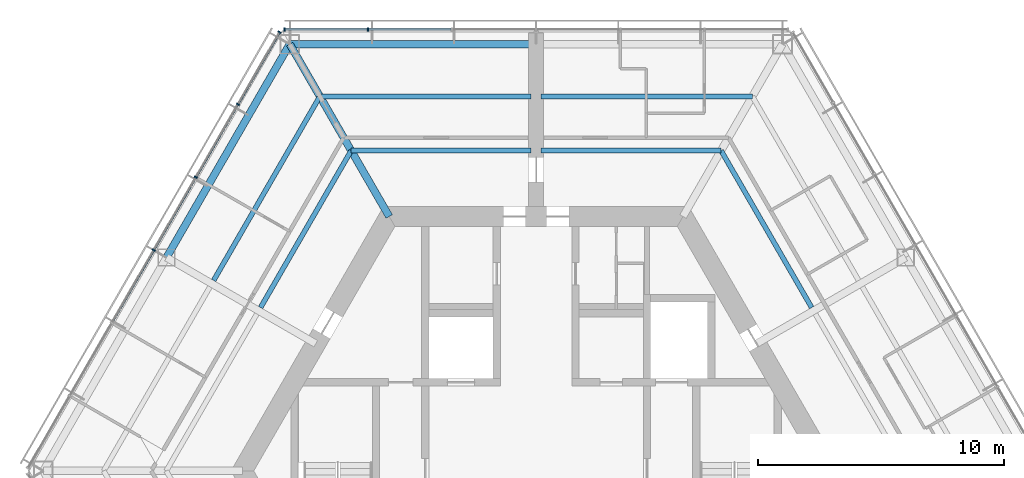
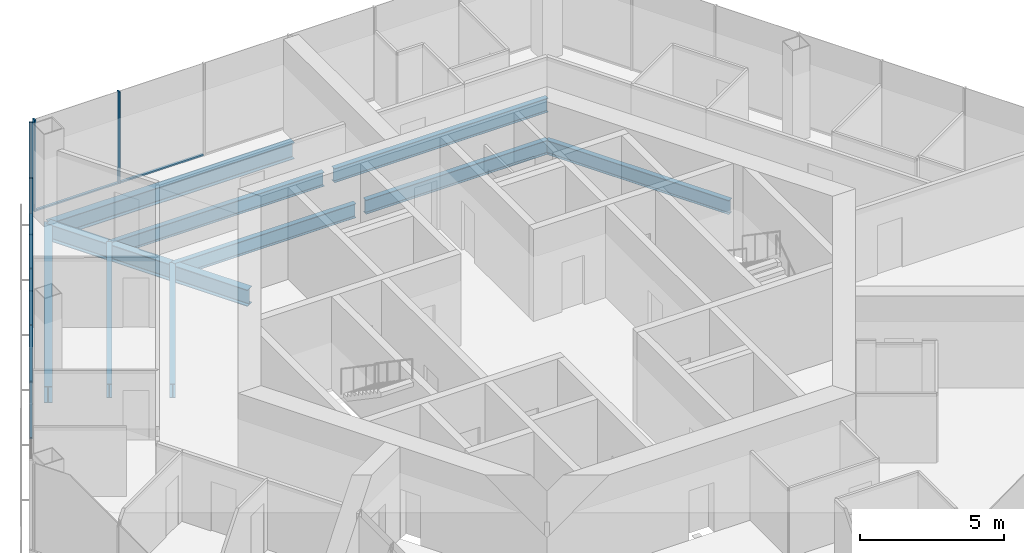
# One storey, part 6 of 17: 12 members, 10 beams, 2 elements without a shape of their own.
"""IFC4 building model written with IfcOpenShell, lengths in metres."""

from ifc_helpers import new_model, si_unit, direction, frame, origin, origin_2d, place, context, subcontext, project, spatial, rectangle, i_section, extrude, material, material_profile, profile_set, type_object, element, aggregate, save


model = new_model("IFC4")

# Units and contexts
model_context = context("Model", 3, precision=1e-05, world=origin(), true_north=direction((0.0, 1.0)))
body_context = subcontext(model_context, "Body", "Model", "MODEL_VIEW")
ifc_project = project(units=[si_unit("LENGTHUNIT", "METRE"), si_unit("AREAUNIT", "SQUARE_METRE"), si_unit("VOLUMEUNIT", "CUBIC_METRE"), si_unit("PLANEANGLEUNIT", "RADIAN"), si_unit("MASSUNIT", "GRAM", prefix="KILO")], contexts=[model_context])

# Site, building, storey
site_placement = place(None, origin())
site = spatial("IfcSite", under=ifc_project, at=site_placement, CompositionType="ELEMENT")
building_placement = place(site_placement, origin())
building = spatial("IfcBuilding", under=site, at=building_placement, Name="Kasaneha Research Tower", CompositionType="ELEMENT")
storey_placement = place(building_placement, frame((0.0, 0.0, 232.300048828125)))
storey = spatial("IfcBuildingStorey", under=building, at=storey_placement, Name="L58", CompositionType="ELEMENT", Elevation=232.300048828125)

# Beams
ifc_material_1 = material(Name="Steel SN490B", Category="steel")
ifc_material_profile_1 = material_profile(ifc_material_1, i_section(OverallWidth=0.199951171875, OverallDepth=0.60009765625, WebThickness=0.010986328125, FlangeThickness=0.01708984375, FilletRadius=0.012939453125, at=origin_2d()), Name="H-600x200x11x17")
ifc_profile_set_1 = profile_set([ifc_material_profile_1], Name="Steel SN490B")
beam_type_1 = type_object("IfcBeamType", Name="B1-3 secondary beam H-600x200x11x17", PredefinedType="JOIST", material=ifc_profile_set_1)
beam_1_placement = place(storey_placement, frame((7.505615234375, 13.0, -0.449951171875), z_axis=(0.499994443168, -0.866028611999, 0.0), x_axis=(0.866028611999, 0.499994443168, 0.0)))
element("IfcBeam", 1, at=beam_1_placement, inside=storey, type_object=beam_type_1, Name="Secondary beam RS030R1 L58", PredefinedType="JOIST", context=body_context, shape_type="SweptSolid", body=[
    extrude(i_section(OverallWidth=0.199951171875, OverallDepth=0.60009765625, WebThickness=0.010986328125, FlangeThickness=0.01708984375, FilletRadius=0.012939453125, at=origin_2d()), origin(), (0.0, 0.0, 1.0), 7.35546875),
])
beam_2_placement = place(storey_placement, frame((7.505615234375, 13.0, -0.449951171875), z_axis=(-1.0, 0.0, 0.0), x_axis=(0.0, -1.0, 0.0)))
element("IfcBeam", 2, at=beam_2_placement, inside=storey, type_object=beam_type_1, Name="Secondary beam RS090L1 L58", PredefinedType="JOIST", context=body_context, shape_type="SweptSolid", body=[
    extrude(i_section(OverallWidth=0.199951171875, OverallDepth=0.60009765625, WebThickness=0.010986328125, FlangeThickness=0.01708984375, FilletRadius=0.012939453125, at=origin_2d()), origin(), (0.0, 0.0, 1.0), 7.3056640625),
])
beam_3_placement = place(storey_placement, frame((8.775634765625, 15.199951171875, -0.449951171875), z_axis=(-1.0, 0.0, 0.0), x_axis=(0.0, -1.0, 0.0)))
element("IfcBeam", 3, at=beam_3_placement, inside=storey, type_object=beam_type_1, Name="Secondary beam RS090L2 L58", PredefinedType="JOIST", context=body_context, shape_type="SweptSolid", body=[
    extrude(i_section(OverallWidth=0.199951171875, OverallDepth=0.60009765625, WebThickness=0.010986328125, FlangeThickness=0.01708984375, FilletRadius=0.012939453125, at=origin_2d()), origin(), (0.0, 0.0, 1.0), 8.57568359375),
])
beam_4_placement = place(storey_placement, frame((-7.505615234375, 13.0, -0.449951171875), z_axis=(1.0, 0.0, 0.0), x_axis=(0.0, 1.0, 0.0)))
element("IfcBeam", 4, at=beam_4_placement, inside=storey, type_object=beam_type_1, Name="Secondary beam RS090R1 L58", PredefinedType="JOIST", context=body_context, shape_type="SweptSolid", body=[
    extrude(i_section(OverallWidth=0.199951171875, OverallDepth=0.60009765625, WebThickness=0.010986328125, FlangeThickness=0.01708984375, FilletRadius=0.012939453125, at=origin_2d()), origin(), (0.0, 0.0, 1.0), 7.3056640625),
])
beam_5_placement = place(storey_placement, frame((-8.775634765625, 15.199951171875, -0.449951171875), z_axis=(1.0, 0.0, 0.0), x_axis=(0.0, 1.0, 0.0)))
element("IfcBeam", 5, at=beam_5_placement, inside=storey, type_object=beam_type_1, Name="Secondary beam RS090R2 L58", PredefinedType="JOIST", context=body_context, shape_type="SweptSolid", body=[
    extrude(i_section(OverallWidth=0.199951171875, OverallDepth=0.60009765625, WebThickness=0.010986328125, FlangeThickness=0.01708984375, FilletRadius=0.012939453125, at=origin_2d()), origin(), (0.0, 0.0, 1.0), 8.57568359375),
])
beam_6_placement = place(storey_placement, frame((-7.505615234375, 13.0, -0.449951171875), z_axis=(-0.499994443168, -0.866028611999, 0.0), x_axis=(0.866028611999, -0.499994443168, 0.0)))
element("IfcBeam", 6, at=beam_6_placement, inside=storey, type_object=beam_type_1, Name="Secondary beam RS150L1 L58", PredefinedType="JOIST", context=body_context, shape_type="SweptSolid", body=[
    extrude(i_section(OverallWidth=0.199951171875, OverallDepth=0.60009765625, WebThickness=0.010986328125, FlangeThickness=0.01708984375, FilletRadius=0.012939453125, at=origin_2d()), origin(), (0.0, 0.0, 1.0), 7.35546875),
])
beam_7_placement = place(storey_placement, frame((-8.775634765625, 15.199951171875, -0.449951171875), z_axis=(-0.500017275495, -0.866015429543, 0.0), x_axis=(0.866015429543, -0.500017275495, 0.0)))
element("IfcBeam", 7, at=beam_7_placement, inside=storey, type_object=beam_type_1, Name="Secondary beam RS150L2 L58", PredefinedType="JOIST", context=body_context, shape_type="SweptSolid", body=[
    extrude(i_section(OverallWidth=0.199951171875, OverallDepth=0.60009765625, WebThickness=0.010986328125, FlangeThickness=0.01708984375, FilletRadius=0.012939453125, at=origin_2d()), origin(), (0.0, 0.0, 1.0), 8.625732421875),
])

# Curtain wall, members
ifc_material_2 = material(Name="Glass and aluminium", Category="aluminium")
curtain_wall_type = type_object("IfcCurtainWallType", Name="High-rise office curtain wall", PredefinedType="USERDEFINED", material=ifc_material_2)
curtain_wall_1_placement = place(storey_placement, origin())
curtain_wall_1 = element("IfcCurtainWall", 8, at=curtain_wall_1_placement, inside=storey, type_object=curtain_wall_type, Name="CW-O3 L58 run 02a", ObjectType="UNITISED CURTAIN WALL", PredefinedType="USERDEFINED")
ifc_material_3 = material(Name="Aluminium 6063-T6", Category="aluminium")
ifc_material_profile_2 = material_profile(ifc_material_3, rectangle(XDim=0.06005859375, YDim=0.139892578125, at=origin_2d()), Name="CW-O3 mullion 60x140")
ifc_profile_set_2 = profile_set([ifc_material_profile_2], Name="Aluminium 6063-T6")
member_type_1 = type_object("IfcMemberType", Name="CW-O3 mullion", PredefinedType="MULLION", material=ifc_profile_set_2)
member_1_placement = place(storey_placement, frame((-6.8310546875, 17.92041015625, 0.0), z_axis=(0.0, 0.0, 1.0), x_axis=(-1.0, 0.0, 0.0)))
member_1 = element("IfcMember", 9, at=member_1_placement, type_object=member_type_1, Name="CW-O3 mullion 6", PredefinedType="MULLION", context=body_context, shape_type="SweptSolid", body=[
    extrude(rectangle(XDim=0.06005859375, YDim=0.139892578125, at=origin_2d()), origin(), (0.0, 0.0, 1.0), 3.89990234375),
])
member_2_placement = place(storey_placement, frame((-10.21630859375, 17.92041015625, 0.0), z_axis=(0.0, 0.0, 1.0), x_axis=(-1.0, 0.0, 0.0)))
member_2 = element("IfcMember", 10, at=member_2_placement, type_object=member_type_1, Name="CW-O3 mullion 7", PredefinedType="MULLION", context=body_context, shape_type="SweptSolid", body=[
    extrude(rectangle(XDim=0.06005859375, YDim=0.139892578125, at=origin_2d()), origin(), (0.0, 0.0, 1.0), 3.89990234375),
])

curtain_wall_2_placement = place(storey_placement, origin())
curtain_wall_2 = element("IfcCurtainWall", 11, at=curtain_wall_2_placement, inside=storey, type_object=curtain_wall_type, Name="CW-O3 L58 run 03a", ObjectType="UNITISED CURTAIN WALL", PredefinedType="USERDEFINED")
member_3_placement = place(storey_placement, frame((-10.411376953125, 17.807861328125, 0.0), z_axis=(0.0, 0.0, 1.0), x_axis=(-0.499999995722, -0.866025406254, 0.0)))
member_3 = element("IfcMember", 12, at=member_3_placement, type_object=member_type_1, Name="CW-O3 mullion 1", PredefinedType="MULLION", context=body_context, shape_type="SweptSolid", body=[
    extrude(rectangle(XDim=0.06005859375, YDim=0.139892578125, at=origin_2d()), origin(), (0.0, 0.0, 1.0), 3.89990234375),
])
member_4_placement = place(storey_placement, frame((-12.104248046875, 14.8759765625, 0.0), z_axis=(0.0, 0.0, 1.0), x_axis=(-0.499999995722, -0.866025406254, 0.0)))
member_4 = element("IfcMember", 13, at=member_4_placement, type_object=member_type_1, Name="CW-O3 mullion 2", PredefinedType="MULLION", context=body_context, shape_type="SweptSolid", body=[
    extrude(rectangle(XDim=0.06005859375, YDim=0.139892578125, at=origin_2d()), origin(), (0.0, 0.0, 1.0), 3.89990234375),
])
member_5_placement = place(storey_placement, frame((-13.811767578125, 11.918212890625, 0.0), z_axis=(0.0, 0.0, 1.0), x_axis=(-0.499999995722, -0.866025406254, 0.0)))
member_5 = element("IfcMember", 14, at=member_5_placement, type_object=member_type_1, Name="CW-O3 mullion 3", PredefinedType="MULLION", context=body_context, shape_type="SweptSolid", body=[
    extrude(rectangle(XDim=0.06005859375, YDim=0.139892578125, at=origin_2d()), origin(), (0.0, 0.0, 1.0), 3.89990234375),
])
member_6_placement = place(storey_placement, frame((-15.51953125, 8.960205078125, 0.0), z_axis=(0.0, 0.0, 1.0), x_axis=(-0.499999995722, -0.866025406254, 0.0)))
member_6 = element("IfcMember", 15, at=member_6_placement, type_object=member_type_1, Name="CW-O3 mullion 4", PredefinedType="MULLION", context=body_context, shape_type="SweptSolid", body=[
    extrude(rectangle(XDim=0.06005859375, YDim=0.139892578125, at=origin_2d()), origin(), (0.0, 0.0, 1.0), 3.89990234375),
])

# Member
ifc_material_4 = material(Name="Aluminium 6063-T6", Category="aluminium")
ifc_material_profile_3 = material_profile(ifc_material_4, rectangle(XDim=0.10009765625, YDim=0.06005859375, at=origin_2d()), Name="CW-O3 transom 100x60")
ifc_profile_set_3 = profile_set([ifc_material_profile_3], Name="Aluminium 6063-T6")
member_type_2 = type_object("IfcMemberType", Name="CW-O3 transom", PredefinedType="USERDEFINED", material=ifc_profile_set_3)
member_7_placement = place(storey_placement, frame((-3.445556640625, 17.92041015625, 0.030029296875), z_axis=(-1.0, 0.0, 0.0), x_axis=(0.0, -1.0, 0.0)))
member_7 = element("IfcMember", 16, at=member_7_placement, type_object=member_type_2, Name="CW-O3 transom 5", ObjectType="TRANSOM", PredefinedType="USERDEFINED", context=body_context, shape_type="SweptSolid", body=[
    extrude(rectangle(XDim=0.10009765625, YDim=0.06005859375, at=origin_2d()), origin(), (0.0, 0.0, 1.0), 3.35546875),
])

member_8_placement = place(storey_placement, frame((-6.86083984375, 17.92041015625, 0.030029296875), z_axis=(-1.0, 0.0, 0.0), x_axis=(0.0, -1.0, 0.0)))
member_8 = element("IfcMember", 17, at=member_8_placement, type_object=member_type_2, Name="CW-O3 transom 6", ObjectType="TRANSOM", PredefinedType="USERDEFINED", context=body_context, shape_type="SweptSolid", body=[
    extrude(rectangle(XDim=0.10009765625, YDim=0.06005859375, at=origin_2d()), origin(), (0.0, 0.0, 1.0), 3.32568359375),
])

aggregate(curtain_wall_1, [member_1, member_2, member_7, member_8])

member_9_placement = place(storey_placement, frame((-10.426513671875, 17.781982421875, 0.030029296875), z_axis=(-0.49997666526, -0.866038875684, 0.0), x_axis=(0.866038875684, -0.49997666526, 0.0)))
member_9 = element("IfcMember", 18, at=member_9_placement, type_object=member_type_2, Name="CW-O3 transom 1", ObjectType="TRANSOM", PredefinedType="USERDEFINED", context=body_context, shape_type="SweptSolid", body=[
    extrude(rectangle(XDim=0.10009765625, YDim=0.06005859375, at=origin_2d()), origin(), (0.0, 0.0, 1.0), 3.325439453125),
])

member_10_placement = place(storey_placement, frame((-12.119140625, 14.85009765625, 0.030029296875), z_axis=(-0.499989072476, -0.866031712701, 0.0), x_axis=(0.866031712701, -0.499989072476, 0.0)))
member_10 = element("IfcMember", 19, at=member_10_placement, type_object=member_type_2, Name="CW-O3 transom 2", ObjectType="TRANSOM", PredefinedType="USERDEFINED", context=body_context, shape_type="SweptSolid", body=[
    extrude(rectangle(XDim=0.10009765625, YDim=0.06005859375, at=origin_2d()), origin(), (0.0, 0.0, 1.0), 3.35546875),
])

member_11_placement = place(storey_placement, frame((-13.826904296875, 11.89208984375, 0.030029296875), z_axis=(-0.500020578564, -0.866013522419, 0.0), x_axis=(0.866013522419, -0.500020578564, 0.0)))
member_11 = element("IfcMember", 20, at=member_11_placement, type_object=member_type_2, Name="CW-O3 transom 3", ObjectType="TRANSOM", PredefinedType="USERDEFINED", context=body_context, shape_type="SweptSolid", body=[
    extrude(rectangle(XDim=0.10009765625, YDim=0.06005859375, at=origin_2d()), origin(), (0.0, 0.0, 1.0), 3.355224609375),
])

member_12_placement = place(storey_placement, frame((-15.53466796875, 8.934326171875, 0.030029296875), z_axis=(-0.499989072476, -0.866031712701, 0.0), x_axis=(0.866031712701, -0.499989072476, 0.0)))
member_12 = element("IfcMember", 21, at=member_12_placement, type_object=member_type_2, Name="CW-O3 transom 4", ObjectType="TRANSOM", PredefinedType="USERDEFINED", context=body_context, shape_type="SweptSolid", body=[
    extrude(rectangle(XDim=0.10009765625, YDim=0.06005859375, at=origin_2d()), origin(), (0.0, 0.0, 1.0), 3.35546875),
])

aggregate(curtain_wall_2, [member_3, member_4, member_5, member_6, member_9, member_10, member_11, member_12])

# Beams
ifc_material_5 = material(Name="Steel SN490B", Category="steel")
ifc_material_profile_4 = material_profile(ifc_material_5, i_section(OverallWidth=0.300048828125, OverallDepth=0.699951171875, WebThickness=0.012939453125, FlangeThickness=0.02392578125, FilletRadius=0.01806640625, at=origin_2d()), Name="H-700x300x13x24")
ifc_profile_set_4 = profile_set([ifc_material_profile_4], Name="Steel SN490B")
beam_type_2 = type_object("IfcBeamType", Name="G1-3 radial girder H-700x300x13x24", PredefinedType="BEAM", material=ifc_profile_set_4)
beam_8_placement = place(storey_placement, frame((-5.961181640625, 10.324951171875, -0.5), z_axis=(-0.49999105496, 0.866030568144, 0.0), x_axis=(-0.866030568144, -0.49999105496, 0.0)))
element("IfcBeam", 22, at=beam_8_placement, inside=storey, type_object=beam_type_2, Name="Radial girder RV120 L58", PredefinedType="BEAM", context=body_context, shape_type="SweptSolid", body=[
    extrude(i_section(OverallWidth=0.300048828125, OverallDepth=0.699951171875, WebThickness=0.012939453125, FlangeThickness=0.02392578125, FilletRadius=0.01806640625, at=origin_2d()), origin(), (0.0, 0.0, 1.0), 8.077880859375),
])
ifc_material_6 = material(Name="Steel SN490B", Category="steel")
ifc_material_profile_5 = material_profile(ifc_material_6, i_section(OverallWidth=0.300048828125, OverallDepth=0.69189453125, WebThickness=0.012939453125, FlangeThickness=0.02001953125, FilletRadius=0.01806640625, at=origin_2d()), Name="H-692x300x13x20")
ifc_profile_set_5 = profile_set([ifc_material_profile_5], Name="Steel SN490B")
beam_type_3 = type_object("IfcBeamType", Name="G3-3 plate edge girder H-692x300x13x20", PredefinedType="BEAM", material=ifc_profile_set_5)
beam_9_placement = place(storey_placement, frame((-10.0, 17.320556640625, -0.49609375), z_axis=(1.0, 0.0, 0.0), x_axis=(0.0, 1.0, 0.0)))
element("IfcBeam", 23, at=beam_9_placement, inside=storey, type_object=beam_type_3, Name="Plate edge girder PEAN L58", PredefinedType="BEAM", context=body_context, shape_type="SweptSolid", body=[
    extrude(i_section(OverallWidth=0.300048828125, OverallDepth=0.69189453125, WebThickness=0.012939453125, FlangeThickness=0.02001953125, FilletRadius=0.01806640625, at=origin_2d()), origin(), (0.0, 0.0, 1.0), 9.800048828125),
])
ifc_material_7 = material(Name="Steel SN490B", Category="steel")
ifc_material_profile_6 = material_profile(ifc_material_7, i_section(OverallWidth=0.300048828125, OverallDepth=0.69189453125, WebThickness=0.012939453125, FlangeThickness=0.02001953125, FilletRadius=0.01806640625, at=origin_2d()), Name="H-692x300x13x20")
ifc_profile_set_6 = profile_set([ifc_material_profile_6], Name="Steel SN490B")
beam_type_4 = type_object("IfcBeamType", Name="SB1-3 spandrel beam H-692x300x13x20", PredefinedType="SPANDREL", material=ifc_profile_set_6)
beam_10_placement = place(storey_placement, frame((-10.0, 17.320556640625, -0.49609375), z_axis=(-0.499993662806, -0.866029062534, 0.0), x_axis=(0.866029062534, -0.499993662806, 0.0)))
element("IfcBeam", 24, at=beam_10_placement, inside=storey, type_object=beam_type_4, Name="Spandrel beam SR150L L58", PredefinedType="SPANDREL", context=body_context, shape_type="SweptSolid", body=[
    extrude(i_section(OverallWidth=0.300048828125, OverallDepth=0.69189453125, WebThickness=0.012939453125, FlangeThickness=0.02001953125, FilletRadius=0.01806640625, at=origin_2d()), origin(), (0.0, 0.0, 1.0), 10.000244140625),
])

save(model, "model.ifc")
